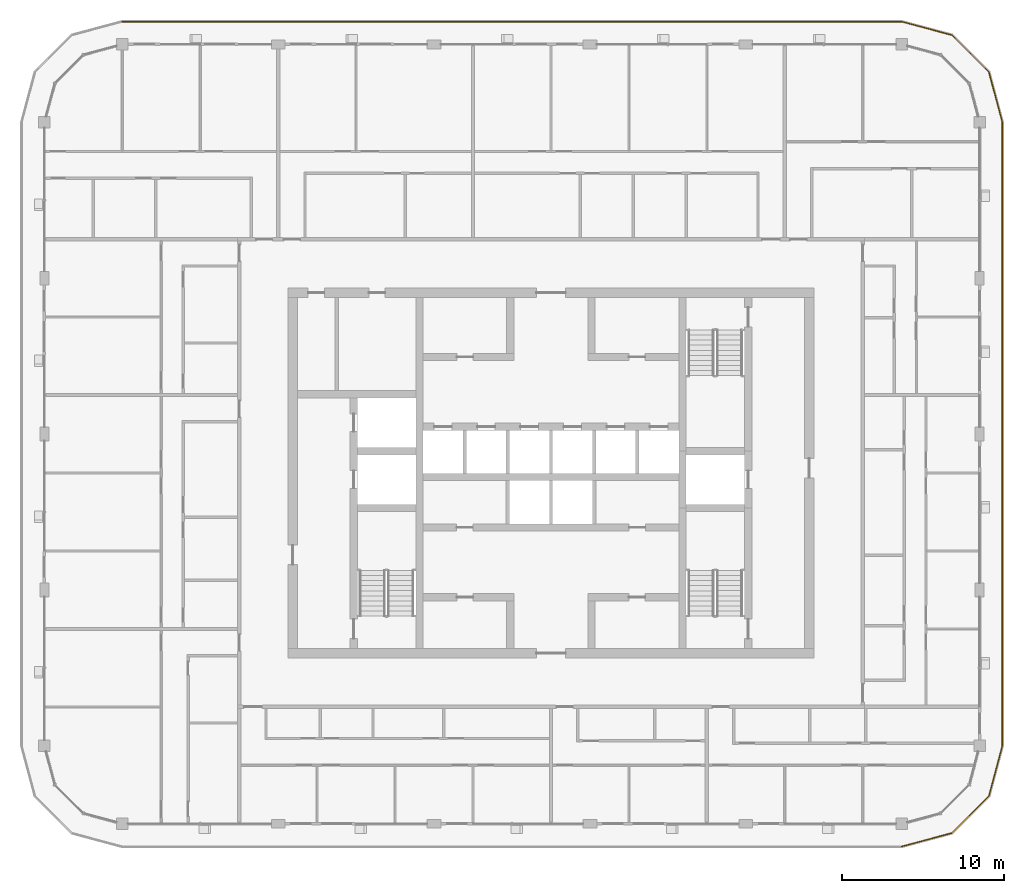
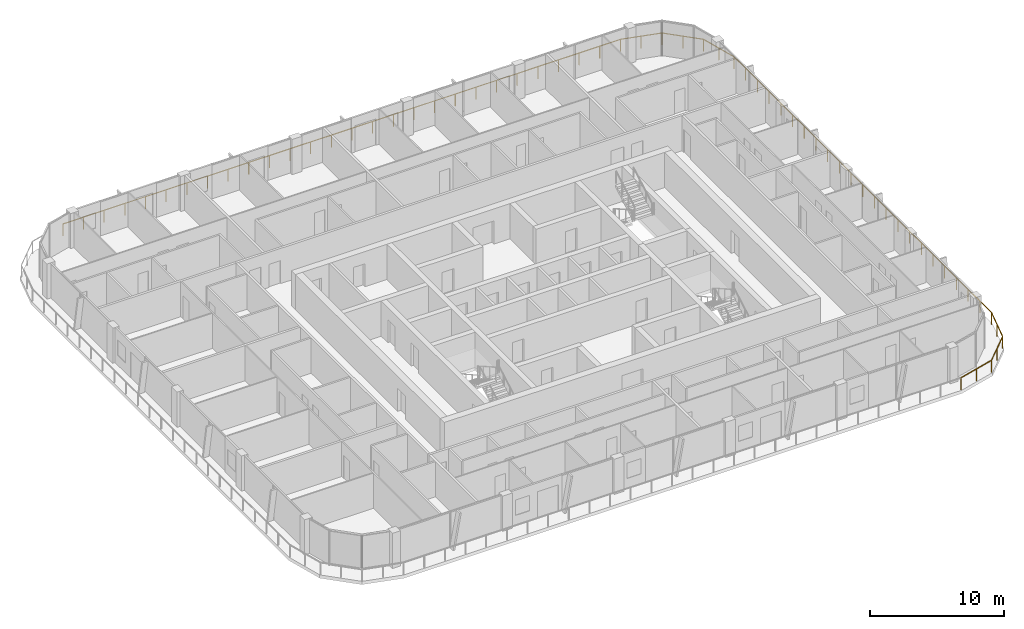
# One storey, part 19 of 21: 1 railing.
"""IFC4 building model written with IfcOpenShell, lengths in metres."""

from ifc_helpers import new_model, si_unit, direction, frame, origin, origin_2d, place, context, subcontext, project, spatial, circle, extrude, material, type_object, element, save


model = new_model("IFC4")

# Units and contexts
model_context = context("Model", 3, precision=1e-05, world=origin(), true_north=direction((0.0, 1.0)))
body_context = subcontext(model_context, "Body", "Model", "MODEL_VIEW")
ifc_project = project(units=[si_unit("LENGTHUNIT", "METRE"), si_unit("AREAUNIT", "SQUARE_METRE"), si_unit("VOLUMEUNIT", "CUBIC_METRE"), si_unit("PLANEANGLEUNIT", "RADIAN"), si_unit("MASSUNIT", "GRAM", prefix="KILO")], contexts=[model_context])

# Site, building, storey
site_placement = place(None, origin())
site = spatial("IfcSite", under=ifc_project, at=site_placement, CompositionType="ELEMENT")
building_placement = place(site_placement, origin())
building = spatial("IfcBuilding", under=site, at=building_placement, Name="Madar Terraces", CompositionType="ELEMENT")
storey_placement = place(building_placement, frame((0.0, 0.0, 242.199951171875)))
storey = spatial("IfcBuildingStorey", under=building, at=storey_placement, Name="L63", CompositionType="ELEMENT", Elevation=242.199951171875)

# Railing
ifc_material = material(Name="Glass, safety glazing, with stainless steel posts", Category="steel")
railing_type = type_object("IfcRailingType", Name="Balcony glass guard 1100", PredefinedType="GUARDRAIL", material=ifc_material)
railing_placement = place(storey_placement, frame((52.800048828125, 3.39990234375, 0.0)))
element("IfcRailing", 1, at=railing_placement, inside=storey, type_object=railing_type, Name="Balcony guard", PredefinedType="GUARDRAIL", context=body_context, shape_type="SweptSolid", body=[
    extrude(circle(Radius=0.02392578125, at=origin_2d()), frame((0.0, 0.0, 1.076171875), z_axis=(0.965909675762, 0.25887931217, 0.0), x_axis=(-0.25887931217, 0.965909675762, 0.0)), (0.0, 0.0, 1.0), 3.209228515625),
    extrude(circle(Radius=0.02392578125, at=origin_2d()), frame((3.099853515625, 0.830810546875, 1.076171875), z_axis=(0.707144815061, 0.707068745266, 0.0), x_axis=(-0.707068745266, 0.707144815061, 0.0)), (0.0, 0.0, 1.0), 3.20947265625),
    extrude(circle(Radius=0.02392578125, at=origin_2d()), frame((5.369384765625, 3.10009765625, 1.076171875), z_axis=(0.258789317819, 0.9659337912, 0.0), x_axis=(-0.9659337912, 0.258789317819, 0.0)), (0.0, 0.0, 1.0), 3.20947265625),
    extrude(circle(Radius=0.02392578125, at=origin_2d()), frame((6.199951171875, 6.2001953125, 1.076171875), z_axis=(0.0, 1.0, 0.0), x_axis=(-1.0, 0.0, 0.0)), (0.0, 0.0, 1.0), 38.39990234375),
    extrude(circle(Radius=0.02392578125, at=origin_2d()), frame((6.199951171875, 44.60009765625, 1.076171875), z_axis=(-0.258789317819, 0.9659337912, 0.0), x_axis=(-0.9659337912, -0.258789317819, 0.0)), (0.0, 0.0, 1.0), 3.20947265625),
    extrude(circle(Radius=0.02392578125, at=origin_2d()), frame((5.369384765625, 47.7001953125, 1.076171875), z_axis=(-0.707144815061, 0.707068745266, 0.0), x_axis=(-0.707068745266, -0.707144815061, 0.0)), (0.0, 0.0, 1.0), 3.20947265625),
    extrude(circle(Radius=0.02392578125, at=origin_2d()), frame((3.099853515625, 49.969482421875, 1.076171875), z_axis=(-0.965928696102, 0.258808334578, 0.0), x_axis=(-0.258808334578, -0.965928696102, 0.0)), (0.0, 0.0, 1.0), 3.209228515625),
    extrude(circle(Radius=0.02392578125, at=origin_2d()), frame((0.0, 50.800048828125, 1.076171875), z_axis=(-1.0, 0.0, 0.0), x_axis=(0.0, -1.0, 0.0)), (0.0, 0.0, 1.0), 48.0),
    extrude(circle(Radius=0.02099609375, at=origin_2d()), origin(), (0.0, 0.0, 1.0), 1.052001953125),
    extrude(circle(Radius=0.02099609375, at=origin_2d()), frame((1.5498046875, 0.41552734375, 0.0)), (0.0, 0.0, 1.0), 1.052001953125),
    extrude(circle(Radius=0.02099609375, at=origin_2d()), frame((3.099853515625, 0.830810546875, 0.0)), (0.0, 0.0, 1.0), 1.052001953125),
    extrude(circle(Radius=0.02099609375, at=origin_2d()), frame((4.234619140625, 1.96533203125, 0.0)), (0.0, 0.0, 1.0), 1.052001953125),
    extrude(circle(Radius=0.02099609375, at=origin_2d()), frame((5.369384765625, 3.10009765625, 0.0)), (0.0, 0.0, 1.0), 1.052001953125),
    extrude(circle(Radius=0.02099609375, at=origin_2d()), frame((5.78466796875, 4.650146484375, 0.0)), (0.0, 0.0, 1.0), 1.052001953125),
    extrude(circle(Radius=0.02099609375, at=origin_2d()), frame((6.199951171875, 6.2001953125, 0.0)), (0.0, 0.0, 1.0), 1.052001953125),
    extrude(circle(Radius=0.02099609375, at=origin_2d()), frame((6.199951171875, 7.945556640625, 0.0)), (0.0, 0.0, 1.0), 1.052001953125),
    extrude(circle(Radius=0.02099609375, at=origin_2d()), frame((6.199951171875, 9.691162109375, 0.0)), (0.0, 0.0, 1.0), 1.052001953125),
    extrude(circle(Radius=0.02099609375, at=origin_2d()), frame((6.199951171875, 11.4365234375, 0.0)), (0.0, 0.0, 1.0), 1.052001953125),
    extrude(circle(Radius=0.02099609375, at=origin_2d()), frame((6.199951171875, 13.181884765625, 0.0)), (0.0, 0.0, 1.0), 1.052001953125),
    extrude(circle(Radius=0.02099609375, at=origin_2d()), frame((6.199951171875, 14.927490234375, 0.0)), (0.0, 0.0, 1.0), 1.052001953125),
    extrude(circle(Radius=0.02099609375, at=origin_2d()), frame((6.199951171875, 16.6728515625, 0.0)), (0.0, 0.0, 1.0), 1.052001953125),
    extrude(circle(Radius=0.02099609375, at=origin_2d()), frame((6.199951171875, 18.41845703125, 0.0)), (0.0, 0.0, 1.0), 1.052001953125),
    extrude(circle(Radius=0.02099609375, at=origin_2d()), frame((6.199951171875, 20.163818359375, 0.0)), (0.0, 0.0, 1.0), 1.052001953125),
    extrude(circle(Radius=0.02099609375, at=origin_2d()), frame((6.199951171875, 21.9091796875, 0.0)), (0.0, 0.0, 1.0), 1.052001953125),
    extrude(circle(Radius=0.02099609375, at=origin_2d()), frame((6.199951171875, 23.65478515625, 0.0)), (0.0, 0.0, 1.0), 1.052001953125),
    extrude(circle(Radius=0.02099609375, at=origin_2d()), frame((6.199951171875, 25.400146484375, 0.0)), (0.0, 0.0, 1.0), 1.052001953125),
    extrude(circle(Radius=0.02099609375, at=origin_2d()), frame((6.199951171875, 27.1455078125, 0.0)), (0.0, 0.0, 1.0), 1.052001953125),
    extrude(circle(Radius=0.02099609375, at=origin_2d()), frame((6.199951171875, 28.89111328125, 0.0)), (0.0, 0.0, 1.0), 1.052001953125),
    extrude(circle(Radius=0.02099609375, at=origin_2d()), frame((6.199951171875, 30.636474609375, 0.0)), (0.0, 0.0, 1.0), 1.052001953125),
    extrude(circle(Radius=0.02099609375, at=origin_2d()), frame((6.199951171875, 32.3818359375, 0.0)), (0.0, 0.0, 1.0), 1.052001953125),
    extrude(circle(Radius=0.02099609375, at=origin_2d()), frame((6.199951171875, 34.12744140625, 0.0)), (0.0, 0.0, 1.0), 1.052001953125),
    extrude(circle(Radius=0.02099609375, at=origin_2d()), frame((6.199951171875, 35.872802734375, 0.0)), (0.0, 0.0, 1.0), 1.052001953125),
    extrude(circle(Radius=0.02099609375, at=origin_2d()), frame((6.199951171875, 37.618408203125, 0.0)), (0.0, 0.0, 1.0), 1.052001953125),
    extrude(circle(Radius=0.02099609375, at=origin_2d()), frame((6.199951171875, 39.36376953125, 0.0)), (0.0, 0.0, 1.0), 1.052001953125),
    extrude(circle(Radius=0.02099609375, at=origin_2d()), frame((6.199951171875, 41.109130859375, 0.0)), (0.0, 0.0, 1.0), 1.052001953125),
    extrude(circle(Radius=0.02099609375, at=origin_2d()), frame((6.199951171875, 42.854736328125, 0.0)), (0.0, 0.0, 1.0), 1.052001953125),
    extrude(circle(Radius=0.02099609375, at=origin_2d()), frame((6.199951171875, 44.60009765625, 0.0)), (0.0, 0.0, 1.0), 1.052001953125),
    extrude(circle(Radius=0.02099609375, at=origin_2d()), frame((5.78466796875, 46.150146484375, 0.0)), (0.0, 0.0, 1.0), 1.052001953125),
    extrude(circle(Radius=0.02099609375, at=origin_2d()), frame((5.369384765625, 47.7001953125, 0.0)), (0.0, 0.0, 1.0), 1.052001953125),
    extrude(circle(Radius=0.02099609375, at=origin_2d()), frame((4.234619140625, 48.8349609375, 0.0)), (0.0, 0.0, 1.0), 1.052001953125),
    extrude(circle(Radius=0.02099609375, at=origin_2d()), frame((3.099853515625, 49.969482421875, 0.0)), (0.0, 0.0, 1.0), 1.052001953125),
    extrude(circle(Radius=0.02099609375, at=origin_2d()), frame((1.5498046875, 50.384765625, 0.0)), (0.0, 0.0, 1.0), 1.052001953125),
    extrude(circle(Radius=0.02099609375, at=origin_2d()), frame((0.0, 50.800048828125, 0.0)), (0.0, 0.0, 1.0), 1.052001953125),
    extrude(circle(Radius=0.02099609375, at=origin_2d()), frame((-1.77783203125, 50.800048828125, 0.0)), (0.0, 0.0, 1.0), 1.052001953125),
    extrude(circle(Radius=0.02099609375, at=origin_2d()), frame((-3.5556640625, 50.800048828125, 0.0)), (0.0, 0.0, 1.0), 1.052001953125),
    extrude(circle(Radius=0.02099609375, at=origin_2d()), frame((-5.333251953125, 50.800048828125, 0.0)), (0.0, 0.0, 1.0), 1.052001953125),
    extrude(circle(Radius=0.02099609375, at=origin_2d()), frame((-7.111083984375, 50.800048828125, 0.0)), (0.0, 0.0, 1.0), 1.052001953125),
    extrude(circle(Radius=0.02099609375, at=origin_2d()), frame((-8.888916015625, 50.800048828125, 0.0)), (0.0, 0.0, 1.0), 1.052001953125),
    extrude(circle(Radius=0.02099609375, at=origin_2d()), frame((-10.666748046875, 50.800048828125, 0.0)), (0.0, 0.0, 1.0), 1.052001953125),
    extrude(circle(Radius=0.02099609375, at=origin_2d()), frame((-12.4443359375, 50.800048828125, 0.0)), (0.0, 0.0, 1.0), 1.052001953125),
    extrude(circle(Radius=0.02099609375, at=origin_2d()), frame((-14.22216796875, 50.800048828125, 0.0)), (0.0, 0.0, 1.0), 1.052001953125),
    extrude(circle(Radius=0.02099609375, at=origin_2d()), frame((-16.0, 50.800048828125, 0.0)), (0.0, 0.0, 1.0), 1.052001953125),
    extrude(circle(Radius=0.02099609375, at=origin_2d()), frame((-17.77783203125, 50.800048828125, 0.0)), (0.0, 0.0, 1.0), 1.052001953125),
    extrude(circle(Radius=0.02099609375, at=origin_2d()), frame((-19.5556640625, 50.800048828125, 0.0)), (0.0, 0.0, 1.0), 1.052001953125),
    extrude(circle(Radius=0.02099609375, at=origin_2d()), frame((-21.333251953125, 50.800048828125, 0.0)), (0.0, 0.0, 1.0), 1.052001953125),
    extrude(circle(Radius=0.02099609375, at=origin_2d()), frame((-23.111083984375, 50.800048828125, 0.0)), (0.0, 0.0, 1.0), 1.052001953125),
    extrude(circle(Radius=0.02099609375, at=origin_2d()), frame((-24.888916015625, 50.800048828125, 0.0)), (0.0, 0.0, 1.0), 1.052001953125),
    extrude(circle(Radius=0.02099609375, at=origin_2d()), frame((-26.666748046875, 50.800048828125, 0.0)), (0.0, 0.0, 1.0), 1.052001953125),
    extrude(circle(Radius=0.02099609375, at=origin_2d()), frame((-28.4443359375, 50.800048828125, 0.0)), (0.0, 0.0, 1.0), 1.052001953125),
    extrude(circle(Radius=0.02099609375, at=origin_2d()), frame((-30.22216796875, 50.800048828125, 0.0)), (0.0, 0.0, 1.0), 1.052001953125),
    extrude(circle(Radius=0.02099609375, at=origin_2d()), frame((-32.0, 50.800048828125, 0.0)), (0.0, 0.0, 1.0), 1.052001953125),
    extrude(circle(Radius=0.02099609375, at=origin_2d()), frame((-33.77783203125, 50.800048828125, 0.0)), (0.0, 0.0, 1.0), 1.052001953125),
    extrude(circle(Radius=0.02099609375, at=origin_2d()), frame((-35.5556640625, 50.800048828125, 0.0)), (0.0, 0.0, 1.0), 1.052001953125),
    extrude(circle(Radius=0.02099609375, at=origin_2d()), frame((-37.333251953125, 50.800048828125, 0.0)), (0.0, 0.0, 1.0), 1.052001953125),
    extrude(circle(Radius=0.02099609375, at=origin_2d()), frame((-39.111083984375, 50.800048828125, 0.0)), (0.0, 0.0, 1.0), 1.052001953125),
    extrude(circle(Radius=0.02099609375, at=origin_2d()), frame((-40.888916015625, 50.800048828125, 0.0)), (0.0, 0.0, 1.0), 1.052001953125),
    extrude(circle(Radius=0.02099609375, at=origin_2d()), frame((-42.666748046875, 50.800048828125, 0.0)), (0.0, 0.0, 1.0), 1.052001953125),
    extrude(circle(Radius=0.02099609375, at=origin_2d()), frame((-44.4443359375, 50.800048828125, 0.0)), (0.0, 0.0, 1.0), 1.052001953125),
    extrude(circle(Radius=0.02099609375, at=origin_2d()), frame((-46.22216796875, 50.800048828125, 0.0)), (0.0, 0.0, 1.0), 1.052001953125),
    extrude(circle(Radius=0.02099609375, at=origin_2d()), frame((-48.0, 50.800048828125, 0.0)), (0.0, 0.0, 1.0), 1.052001953125),
])

save(model, "model.ifc")
